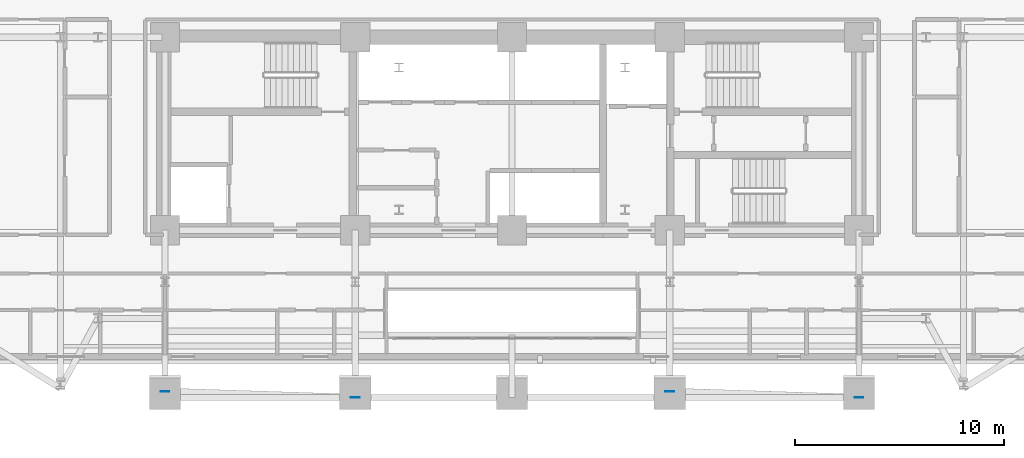
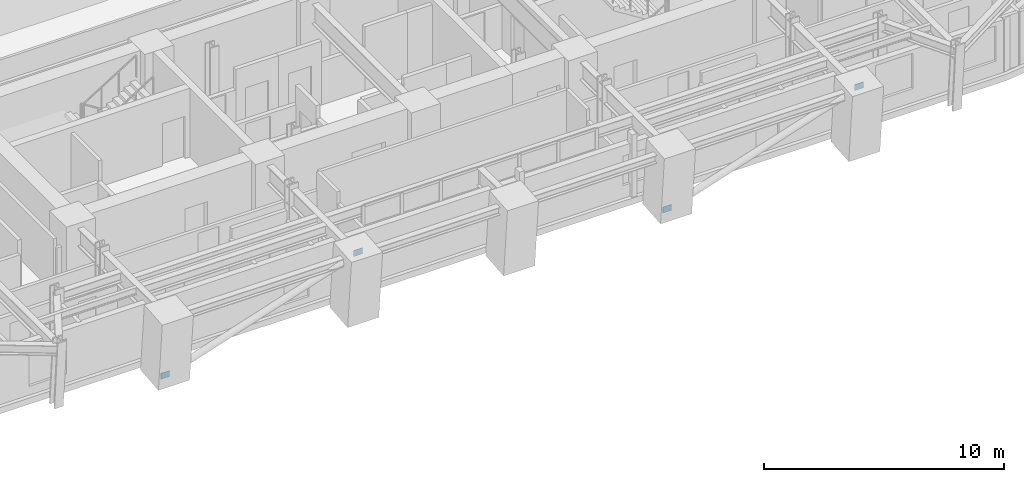
# One storey, part 6 of 15: 4 plates.
"""IFC4 building model written with IfcOpenShell, lengths in metres."""

from ifc_helpers import new_model, si_unit, direction, frame, origin, origin_2d, place, context, subcontext, project, spatial, rectangle, extrude, material, layer, layer_set, type_object, element, save


model = new_model("IFC4")

# Units and contexts
model_context = context("Model", 3, precision=1e-05, world=origin(), true_north=direction((0.0, 1.0)))
body_context = subcontext(model_context, "Body", "Model", "MODEL_VIEW")
ifc_project = project(units=[si_unit("LENGTHUNIT", "METRE"), si_unit("AREAUNIT", "SQUARE_METRE"), si_unit("VOLUMEUNIT", "CUBIC_METRE"), si_unit("PLANEANGLEUNIT", "RADIAN"), si_unit("MASSUNIT", "GRAM", prefix="KILO")], contexts=[model_context])

# Site, building, storey
site_placement = place(None, origin())
site = spatial("IfcSite", under=ifc_project, at=site_placement, CompositionType="ELEMENT")
building_placement = place(site_placement, origin())
building = spatial("IfcBuilding", under=site, at=building_placement, Name="Zarnavel Station Tower", CompositionType="ELEMENT")
storey_placement = place(building_placement, frame((0.0, 0.0, 67.5)))
storey = spatial("IfcBuildingStorey", under=building, at=storey_placement, Name="L18", CompositionType="ELEMENT", Elevation=67.5)

# Plates
ifc_material = material(Name="Steel S460M", Category="steel")
ifc_layer = layer(ifc_material, 0.02490234375)
ifc_layer_set = layer_set([ifc_layer], Name="GP_GUSSET_25")
plate_type = type_object("IfcPlateType", Name="GP_GUSSET_25", PredefinedType="USERDEFINED", material=ifc_layer_set)
for number, where, z_axis, x_axis, name in (
    (1, (12.199951171875, 20.111083984375, -0.14990234375), (0.0, 0.0, 1.0), (1.0, 0.0, 0.0), "L18 Exterior Diagonal Brace End Gusset 1-1"),
    (2, (21.300048828125, 19.8173828125, 3.08984375), (0.0, 0.0, 1.0), (1.0, 0.0, 0.0), "L18 Exterior Diagonal Brace End Gusset 1-2"),
    (3, (36.35009765625, 20.111083984375, -0.14990234375), (0.0, 0.0, 1.0), (1.0, 0.0, 0.0), "L18 Exterior Diagonal Brace End Gusset 2-1"),
    (4, (45.39990234375, 19.8173828125, 3.08984375), (0.0, 0.0, 1.0), (1.0, 0.0, 0.0), "L18 Exterior Diagonal Brace End Gusset 2-2"),
):
    element("IfcPlate", number, at=place(storey_placement, frame(where, z_axis=z_axis, x_axis=x_axis)), inside=storey, type_object=plate_type, Name=name, ObjectType="GUSSET_PLATE", PredefinedType="USERDEFINED", context=body_context, shape_type="SweptSolid", body=[
        extrude(rectangle(XDim=0.419921875, YDim=0.02490234375, at=origin_2d()), origin(), (0.0, 0.0, 1.0), 0.300048828125),
    ])

save(model, "model.ifc")
